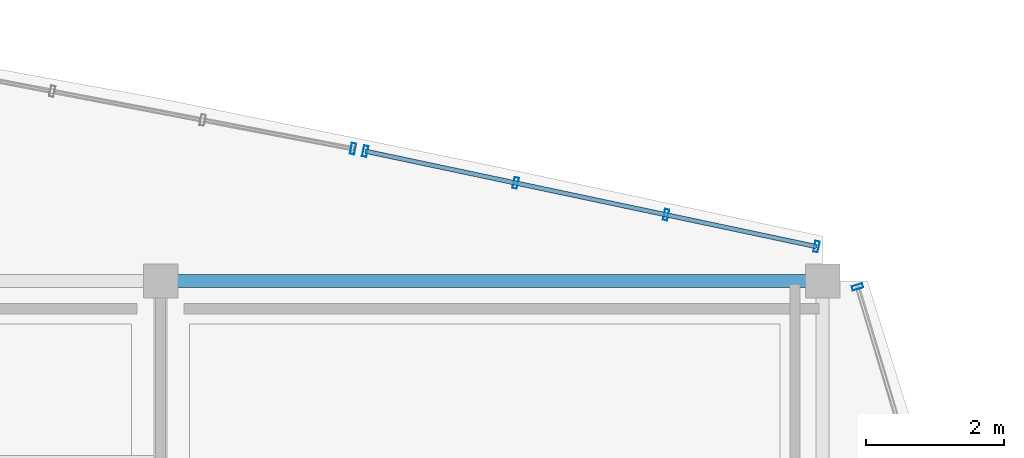
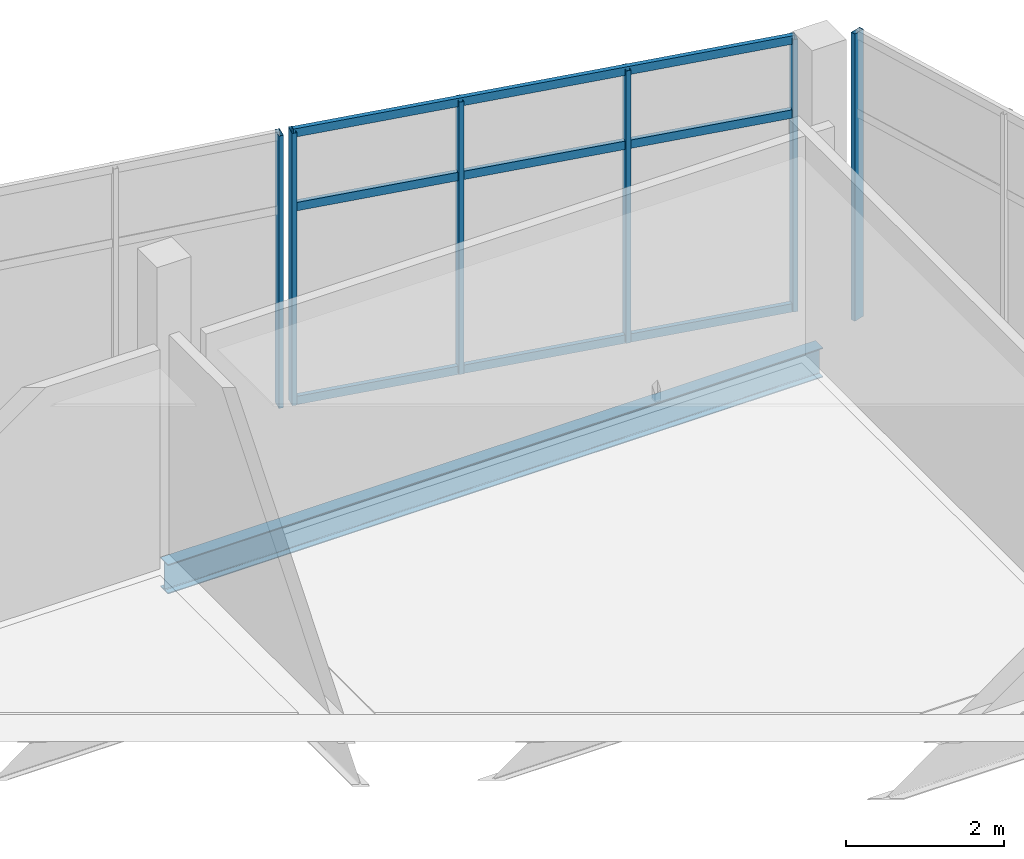
# One storey, part 80 of 114: 9 members, 1 beam, 3 elements without a shape of their own.
"""IFC4 building model written with IfcOpenShell, lengths in metres."""

from ifc_helpers import new_model, si_unit, direction, frame, origin, origin_2d, place, context, subcontext, project, spatial, hollow_rectangle, i_section, extrude, material, layer, layer_set, material_profile, profile_set, type_object, element, aggregate, save


model = new_model("IFC4")

# Units and contexts
model_context = context("Model", 3, precision=1e-05, world=origin(), true_north=direction((0.0, 1.0)))
body_context = subcontext(model_context, "Body", "Model", "MODEL_VIEW")
ifc_project = project(units=[si_unit("LENGTHUNIT", "METRE"), si_unit("AREAUNIT", "SQUARE_METRE"), si_unit("VOLUMEUNIT", "CUBIC_METRE"), si_unit("PLANEANGLEUNIT", "RADIAN"), si_unit("MASSUNIT", "GRAM", prefix="KILO")], contexts=[model_context])

# Site, building, storey
site_placement = place(None, origin())
site = spatial("IfcSite", under=ifc_project, at=site_placement, CompositionType="ELEMENT")
building_placement = place(site_placement, origin())
building = spatial("IfcBuilding", under=site, at=building_placement, Name="Chalmorin Arch Market", CompositionType="ELEMENT")
storey_placement = place(building_placement, frame((0.0, 0.0, 9.60009765625)))
storey = spatial("IfcBuildingStorey", under=building, at=storey_placement, Name="L02", CompositionType="ELEMENT", Elevation=9.60009765625)

# Curtain wall, member
ifc_material_1 = material(Name="Aluminium 6063-T6", Category="aluminium")
ifc_layer_1 = layer(ifc_material_1, 0.159912109375)
ifc_layer_set_1 = layer_set([ifc_layer_1], Name="Aluminium 6063-T6")
curtain_wall_type_1 = type_object("IfcCurtainWallType", Name="CulinaryStudioCurtainWall-CW3-6660x4220", PredefinedType="NOTDEFINED", material=ifc_layer_set_1)
curtain_wall_1_placement = place(storey_placement, origin())
curtain_wall_1 = element("IfcCurtainWall", 1, at=curtain_wall_1_placement, inside=storey, type_object=curtain_wall_type_1, Name="CW-03-146", PredefinedType="NOTDEFINED")
ifc_material_profile_1 = material_profile(ifc_material_1, hollow_rectangle(XDim=0.06494140625, YDim=0.159912109375, WallThickness=0.00390625, at=origin_2d()), Name="ALU65X160X4")
ifc_profile_set_1 = profile_set([ifc_material_profile_1], Name="Aluminium 6063-T6")
member_type_1 = type_object("IfcMemberType", Name="CurtainWallMullion-65x160", PredefinedType="MULLION", material=ifc_profile_set_1)
member_1_placement = place(storey_placement, frame((108.3916015625, 119.91796875, 0.0), z_axis=(0.0, 0.0, 1.0), x_axis=(0.981627183448, -0.190808995377, 0.0)))
member_1 = element("IfcMember", 2, at=member_1_placement, type_object=member_type_1, Name="ML-146-04", PredefinedType="MULLION", context=body_context, shape_type="SweptSolid", body=[
    extrude(hollow_rectangle(XDim=0.06494140625, YDim=0.159912109375, WallThickness=0.00390625, at=origin_2d()), origin(), (0.0, 0.0, 1.0), 4.219970703125),
])
aggregate(curtain_wall_1, [member_1])

# Curtain wall, members
ifc_layer_2 = layer(ifc_material_1, 0.159912109375)
ifc_layer_set_2 = layer_set([ifc_layer_2], Name="Aluminium 6063-T6")
curtain_wall_type_2 = type_object("IfcCurtainWallType", Name="CulinaryStudioCurtainWall-CW3-6690x4220", PredefinedType="NOTDEFINED", material=ifc_layer_set_2)
curtain_wall_2_placement = place(storey_placement, origin())
curtain_wall_2 = element("IfcCurtainWall", 3, at=curtain_wall_2_placement, inside=storey, type_object=curtain_wall_type_2, Name="CW-03-149", PredefinedType="NOTDEFINED")
member_2_placement = place(storey_placement, frame((108.568115234375, 119.88232421875, 0.0), z_axis=(0.0, 0.0, 1.0), x_axis=(0.978147600734, -0.207911690818, 0.0)))
member_2 = element("IfcMember", 4, at=member_2_placement, type_object=member_type_1, Name="ML-149-01", PredefinedType="MULLION", context=body_context, shape_type="SweptSolid", body=[
    extrude(hollow_rectangle(XDim=0.06494140625, YDim=0.159912109375, WallThickness=0.00390625, at=origin_2d()), origin(), (0.0, 0.0, 1.0), 4.219970703125),
])
member_3_placement = place(storey_placement, frame((110.74951171875, 119.421142578125, 0.0), z_axis=(0.0, 0.0, 1.0), x_axis=(0.978147600734, -0.207911690818, 0.0)))
member_3 = element("IfcMember", 5, at=member_3_placement, type_object=member_type_1, Name="ML-149-02", PredefinedType="MULLION", context=body_context, shape_type="SweptSolid", body=[
    extrude(hollow_rectangle(XDim=0.06494140625, YDim=0.159912109375, WallThickness=0.00390625, at=origin_2d()), origin(), (0.0, 0.0, 1.0), 4.219970703125),
])
member_4_placement = place(storey_placement, frame((112.9306640625, 118.9599609375, 0.0), z_axis=(0.0, 0.0, 1.0), x_axis=(0.978147600734, -0.207911690818, 0.0)))
member_4 = element("IfcMember", 6, at=member_4_placement, type_object=member_type_1, Name="ML-149-03", PredefinedType="MULLION", context=body_context, shape_type="SweptSolid", body=[
    extrude(hollow_rectangle(XDim=0.06494140625, YDim=0.159912109375, WallThickness=0.00390625, at=origin_2d()), origin(), (0.0, 0.0, 1.0), 4.219970703125),
])
member_5_placement = place(storey_placement, frame((115.11181640625, 118.49853515625, 0.0), z_axis=(0.0, 0.0, 1.0), x_axis=(0.978147600734, -0.207911690818, 0.0)))
member_5 = element("IfcMember", 7, at=member_5_placement, type_object=member_type_1, Name="ML-149-04", PredefinedType="MULLION", context=body_context, shape_type="SweptSolid", body=[
    extrude(hollow_rectangle(XDim=0.06494140625, YDim=0.159912109375, WallThickness=0.00390625, at=origin_2d()), origin(), (0.0, 0.0, 1.0), 4.219970703125),
])

# Curtain wall, member
ifc_layer_3 = layer(ifc_material_1, 0.159912109375)
ifc_layer_set_3 = layer_set([ifc_layer_3], Name="Aluminium 6063-T6")
curtain_wall_type_3 = type_object("IfcCurtainWallType", Name="CulinaryStudioCurtainWall-CW3-7820x4450", PredefinedType="NOTDEFINED", material=ifc_layer_set_3)
curtain_wall_3_placement = place(storey_placement, origin())
curtain_wall_3 = element("IfcCurtainWall", 8, at=curtain_wall_3_placement, inside=storey, type_object=curtain_wall_type_3, Name="CW-03-190", PredefinedType="NOTDEFINED")
member_6_placement = place(storey_placement, frame((115.705810546875, 117.913818359375, 0.0), z_axis=(0.0, 0.0, 1.0), x_axis=(-0.292371704723, 0.956304755963, 0.0)))
member_6 = element("IfcMember", 9, at=member_6_placement, type_object=member_type_1, Name="ML-190-04", PredefinedType="MULLION", context=body_context, shape_type="SweptSolid", body=[
    extrude(hollow_rectangle(XDim=0.06494140625, YDim=0.159912109375, WallThickness=0.00390625, at=origin_2d()), origin(), (0.0, 0.0, 1.0), 4.449951171875),
])
aggregate(curtain_wall_3, [member_6])

# Member
ifc_material_profile_2 = material_profile(ifc_material_1, hollow_rectangle(XDim=0.06494140625, YDim=0.1298828125, WallThickness=0.00390625, at=origin_2d()), Name="ALU65X130X4")
ifc_profile_set_2 = profile_set([ifc_material_profile_2], Name="Aluminium 6063-T6")
member_type_2 = type_object("IfcMemberType", Name="CurtainWallTransom-65x130", PredefinedType="USERDEFINED", material=ifc_profile_set_2)
member_7_placement = place(storey_placement, frame((108.568115234375, 119.88232421875, 0.034912109375), z_axis=(0.978363487727, -0.206893416723, 0.0), x_axis=(0.206893416723, 0.978363487727, 0.0)))
member_7 = element("IfcMember", 10, at=member_7_placement, type_object=member_type_2, Name="TR-149-01", ObjectType="TRANSOM", PredefinedType="USERDEFINED", context=body_context, shape_type="SweptSolid", body=[
    extrude(hollow_rectangle(XDim=0.06494140625, YDim=0.1298828125, WallThickness=0.00390625, at=origin_2d()), origin(), (0.0, 0.0, 1.0), 6.6884765625),
])

member_8_placement = place(storey_placement, frame((108.568115234375, 119.88232421875, 3.038330078125), z_axis=(0.978363487727, -0.206893416723, 0.0), x_axis=(0.206893416723, 0.978363487727, 0.0)))
member_8 = element("IfcMember", 11, at=member_8_placement, type_object=member_type_2, Name="TR-149-02", ObjectType="TRANSOM", PredefinedType="USERDEFINED", context=body_context, shape_type="SweptSolid", body=[
    extrude(hollow_rectangle(XDim=0.06494140625, YDim=0.1298828125, WallThickness=0.00390625, at=origin_2d()), origin(), (0.0, 0.0, 1.0), 6.6884765625),
])

member_9_placement = place(storey_placement, frame((108.568115234375, 119.88232421875, 4.184814453125), z_axis=(0.978363487727, -0.206893416723, 0.0), x_axis=(0.206893416723, 0.978363487727, 0.0)))
member_9 = element("IfcMember", 12, at=member_9_placement, type_object=member_type_2, Name="TR-149-03", ObjectType="TRANSOM", PredefinedType="USERDEFINED", context=body_context, shape_type="SweptSolid", body=[
    extrude(hollow_rectangle(XDim=0.06494140625, YDim=0.1298828125, WallThickness=0.00390625, at=origin_2d()), origin(), (0.0, 0.0, 1.0), 6.6884765625),
])

aggregate(curtain_wall_2, [member_2, member_3, member_4, member_5, member_7, member_8, member_9])

# Beam
ifc_material_2 = material(Name="Steel A992 Grade 50", Category="steel")
ifc_material_profile_3 = material_profile(ifc_material_2, i_section(OverallWidth=0.19091796875, OverallDepth=0.45703125, WebThickness=0.009033203125, FlangeThickness=0.014404296875, FilletRadius=0.02001953125, at=origin_2d()), Name="W18X50")
ifc_profile_set_3 = profile_set([ifc_material_profile_3], Name="Steel A992 Grade 50")
beam_type = type_object("IfcBeamType", Name="PerimeterSpandrelBeam-W18X50", PredefinedType="SPANDREL", material=ifc_profile_set_3)
beam_placement = place(storey_placement, frame((105.60009765625, 118.0, -0.510498046875), z_axis=(1.0, 0.0, 0.0), x_axis=(0.0, 1.0, 0.0)))
element("IfcBeam", 13, at=beam_placement, inside=storey, type_object=beam_type, Name="SP-W18-1299", PredefinedType="SPANDREL", context=body_context, shape_type="SweptSolid", body=[
    extrude(i_section(OverallWidth=0.19091796875, OverallDepth=0.45703125, WebThickness=0.009033203125, FlangeThickness=0.014404296875, FilletRadius=0.02001953125, at=origin_2d()), origin(), (0.0, 0.0, 1.0), 9.599853515625),
])

save(model, "model.ifc")
